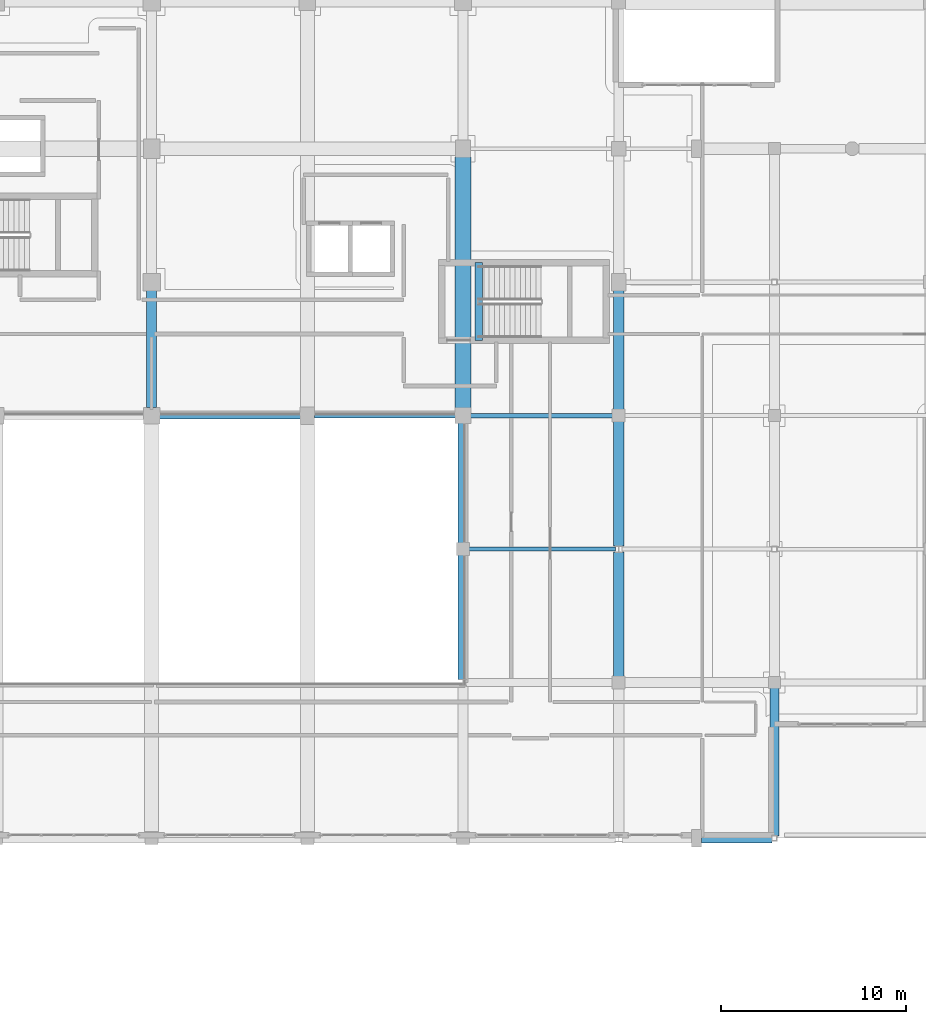
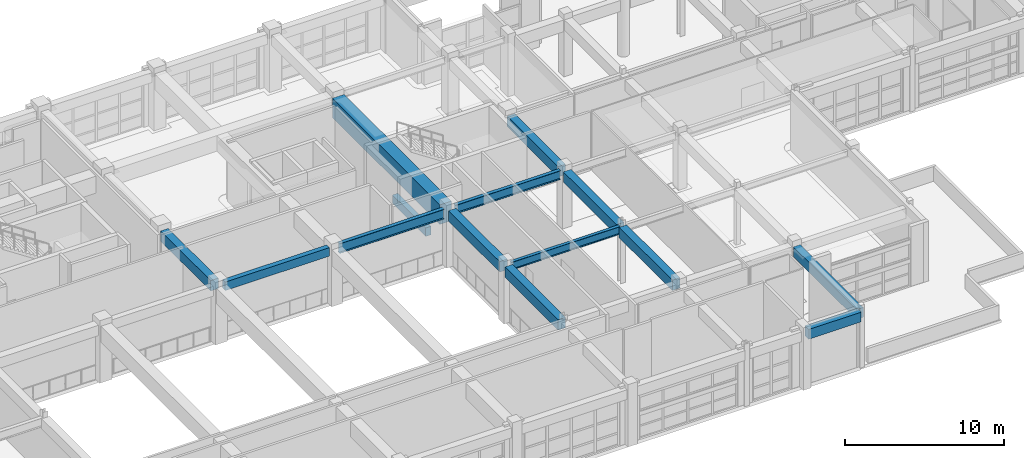
# One storey, part 55 of 123: 14 beams.
"""IFC4 building model written with IfcOpenShell, lengths in metres."""

from ifc_helpers import new_model, si_unit, direction, frame, origin, origin_2d, place, context, subcontext, project, spatial, rectangle, i_section, extrude, material, material_profile, profile_set, type_object, element, save


model = new_model("IFC4")

# Units and contexts
model_context = context("Model", 3, precision=1e-05, world=origin(), true_north=direction((0.0, 1.0)))
body_context = subcontext(model_context, "Body", "Model", "MODEL_VIEW")
ifc_project = project(units=[si_unit("LENGTHUNIT", "METRE"), si_unit("AREAUNIT", "SQUARE_METRE"), si_unit("VOLUMEUNIT", "CUBIC_METRE"), si_unit("PLANEANGLEUNIT", "RADIAN"), si_unit("MASSUNIT", "GRAM", prefix="KILO")], contexts=[model_context])

# Site, building, storey
site_placement = place(None, origin())
site = spatial("IfcSite", under=ifc_project, at=site_placement, CompositionType="ELEMENT")
building_placement = place(site_placement, origin())
building = spatial("IfcBuilding", under=site, at=building_placement, Name="Quendrovan Civic Courthouse", CompositionType="ELEMENT")
storey_placement = place(building_placement, frame((0.0, 0.0, 5.39990234375)))
storey = spatial("IfcBuildingStorey", under=building, at=storey_placement, Name="L02", CompositionType="ELEMENT", Elevation=5.39990234375)

# Beams
ifc_material_1 = material(Name="Concrete C40/50", Category="concrete")
ifc_material_profile_1 = material_profile(ifc_material_1, rectangle(XDim=0.39990234375, YDim=0.64990234375, at=origin_2d()), Name="RC-BM-400x650")
ifc_profile_set_1 = profile_set([ifc_material_profile_1], Name="Concrete C40/50")
beam_type_1 = type_object("IfcBeamType", Name="BM-RC650", PredefinedType="JOIST", material=ifc_profile_set_1)
beam_1_placement = place(storey_placement, frame((84.85009765625, 91.64990234375, -0.324951171875), z_axis=(0.0, 1.0, 0.0), x_axis=(-1.0, 0.0, 0.0)))
element("IfcBeam", 1, at=beam_1_placement, inside=storey, type_object=beam_type_1, Name="L02 Stair ST3 Landing Trimmer Beam", PredefinedType="JOIST", context=body_context, shape_type="SweptSolid", body=[
    extrude(rectangle(XDim=0.39990234375, YDim=0.64990234375, at=origin_2d()), origin(), (0.0, 0.0, 1.0), 4.2001953125),
])
ifc_material_profile_2 = material_profile(ifc_material_1, rectangle(XDim=0.35009765625, YDim=0.64990234375, at=origin_2d()), Name="RC-BM-350x650")
ifc_profile_set_2 = profile_set([ifc_material_profile_2], Name="Concrete C40/50")
beam_type_2 = type_object("IfcBeamType", Name="BM-RC650B", PredefinedType="BEAM", material=ifc_profile_set_2)
beam_2_placement = place(storey_placement, frame((67.6298828125, 87.60009765625, 4.03515625), z_axis=(1.0, 0.0, 0.0), x_axis=(0.0, 1.0, 0.0)))
element("IfcBeam", 2, at=beam_2_placement, inside=storey, type_object=beam_type_2, Name="L02 Girder X0555", PredefinedType="BEAM", context=body_context, shape_type="SweptSolid", body=[
    extrude(rectangle(XDim=0.35009765625, YDim=0.64990234375, at=origin_2d()), origin(), (0.0, 0.0, 1.0), 7.590087890625),
])
ifc_material_profile_3 = material_profile(ifc_material_1, rectangle(XDim=0.5, YDim=0.75, at=origin_2d()), Name="RC-BM-500x750")
ifc_profile_set_3 = profile_set([ifc_material_profile_3], Name="Concrete C40/50")
beam_type_3 = type_object("IfcBeamType", Name="BM-RC750", PredefinedType="SPANDREL", material=ifc_profile_set_3)
beam_3_placement = place(storey_placement, frame((96.85498046875, 64.800048828125, 3.985107421875), z_axis=(1.0, 0.0, 0.0), x_axis=(0.0, 1.0, 0.0)))
element("IfcBeam", 3, at=beam_3_placement, inside=storey, type_object=beam_type_3, Name="L02 Girder X0538", PredefinedType="SPANDREL", context=body_context, shape_type="SweptSolid", body=[
    extrude(rectangle(XDim=0.5, YDim=0.75, at=origin_2d()), origin(), (0.0, 0.0, 1.0), 3.81494140625),
])
beam_4_placement = place(storey_placement, frame((100.800048828125, 64.929931640625, 3.985107421875), z_axis=(0.0, 1.0, 0.0), x_axis=(-1.0, 0.0, 0.0)))
element("IfcBeam", 4, at=beam_4_placement, inside=storey, type_object=beam_type_3, Name="L02 Girder Y0685", PredefinedType="SPANDREL", context=body_context, shape_type="SweptSolid", body=[
    extrude(rectangle(XDim=0.5, YDim=0.75, at=origin_2d()), origin(), (0.0, 0.0, 1.0), 7.965087890625),
])
ifc_material_profile_4 = material_profile(ifc_material_1, rectangle(XDim=0.550048828125, YDim=0.800048828125, at=origin_2d()), Name="RC-BM-550x800")
ifc_profile_set_4 = profile_set([ifc_material_profile_4], Name="Concrete C40/50")
beam_type_4 = type_object("IfcBeamType", Name="BM-RC800", PredefinedType="BEAM", material=ifc_profile_set_4)
beam_5_placement = place(storey_placement, frame((67.199951171875, 88.030029296875, 3.960205078125), z_axis=(0.0, 1.0, 0.0), x_axis=(-1.0, 0.0, 0.0)))
element("IfcBeam", 5, at=beam_5_placement, inside=storey, type_object=beam_type_4, Name="L02 Girder Y0661", PredefinedType="BEAM", context=body_context, shape_type="SweptSolid", body=[
    extrude(rectangle(XDim=0.550048828125, YDim=0.800048828125, at=origin_2d()), origin(), (0.0, 0.0, 1.0), 6.31494140625),
])
beam_6_placement = place(storey_placement, frame((84.0, 73.365966796875, 3.960205078125), z_axis=(0.0, 1.0, 0.0), x_axis=(-1.0, 0.0, 0.0)))
element("IfcBeam", 6, at=beam_6_placement, inside=storey, type_object=beam_type_4, Name="L02 Girder Y0671", PredefinedType="BEAM", context=body_context, shape_type="SweptSolid", body=[
    extrude(rectangle(XDim=0.550048828125, YDim=0.800048828125, at=origin_2d()), origin(), (0.0, 0.0, 1.0), 6.7041015625),
])
beam_7_placement = place(storey_placement, frame((84.0, 80.72998046875, 3.960205078125), z_axis=(0.0, 1.0, 0.0), x_axis=(-1.0, 0.0, 0.0)))
element("IfcBeam", 7, at=beam_7_placement, inside=storey, type_object=beam_type_4, Name="L02 Girder Y0672", PredefinedType="BEAM", context=body_context, shape_type="SweptSolid", body=[
    extrude(rectangle(XDim=0.550048828125, YDim=0.800048828125, at=origin_2d()), origin(), (0.0, 0.0, 1.0), 6.465087890625),
])
beam_8_placement = place(storey_placement, frame((92.39990234375, 73.530029296875, 3.960205078125), z_axis=(0.0, 1.0, 0.0), x_axis=(-1.0, 0.0, 0.0)))
element("IfcBeam", 8, at=beam_8_placement, inside=storey, type_object=beam_type_4, Name="L02 Girder Y0678", PredefinedType="BEAM", context=body_context, shape_type="SweptSolid", body=[
    extrude(rectangle(XDim=0.550048828125, YDim=0.800048828125, at=origin_2d()), origin(), (0.0, 0.0, 1.0), 6.703857421875),
])
beam_9_placement = place(storey_placement, frame((92.39990234375, 80.56591796875, 3.960205078125), z_axis=(0.0, 1.0, 0.0), x_axis=(-1.0, 0.0, 0.0)))
element("IfcBeam", 9, at=beam_9_placement, inside=storey, type_object=beam_type_4, Name="L02 Girder Y0679", PredefinedType="BEAM", context=body_context, shape_type="SweptSolid", body=[
    extrude(rectangle(XDim=0.550048828125, YDim=0.800048828125, at=origin_2d()), origin(), (0.0, 0.0, 1.0), 6.7041015625),
])
beam_10_placement = place(storey_placement, frame((92.39990234375, 87.929931640625, 3.960205078125), z_axis=(0.0, 1.0, 0.0), x_axis=(-1.0, 0.0, 0.0)))
element("IfcBeam", 10, at=beam_10_placement, inside=storey, type_object=beam_type_4, Name="L02 Girder Y0680", PredefinedType="BEAM", context=body_context, shape_type="SweptSolid", body=[
    extrude(rectangle(XDim=0.550048828125, YDim=0.800048828125, at=origin_2d()), origin(), (0.0, 0.0, 1.0), 6.4150390625),
])
ifc_material_2 = material(Name="Steel ASTM A992 Grade 50", Category="steel")
ifc_material_profile_5 = material_profile(ifc_material_2, i_section(OverallWidth=0.22802734375, OverallDepth=0.60693359375, WebThickness=0.01123046875, FlangeThickness=0.017333984375, at=origin_2d()), Name="W24X76")
ifc_profile_set_5 = profile_set([ifc_material_profile_5], Name="Steel ASTM A992 Grade 50")
beam_type_5 = type_object("IfcBeamType", Name="BM-STL-W24", PredefinedType="BEAM", material=ifc_profile_set_5)
beam_11_placement = place(storey_placement, frame((84.330078125, 80.39990234375, 4.056640625), z_axis=(1.0, 0.0, 0.0), x_axis=(0.0, 1.0, 0.0)))
element("IfcBeam", 11, at=beam_11_placement, inside=storey, type_object=beam_type_5, Name="L02 Girder X0548", PredefinedType="BEAM", context=body_context, shape_type="SweptSolid", body=[
    extrude(i_section(OverallWidth=0.22802734375, OverallDepth=0.60693359375, WebThickness=0.01123046875, FlangeThickness=0.017333984375, at=origin_2d()), origin(), (0.0, 0.0, 1.0), 7.90283203125),
])
ifc_material_profile_6 = material_profile(ifc_material_2, i_section(OverallWidth=0.25390625, OverallDepth=0.68408203125, WebThickness=0.012451171875, FlangeThickness=0.018798828125, at=origin_2d()), Name="W27X94")
ifc_profile_set_6 = profile_set([ifc_material_profile_6], Name="Steel ASTM A992 Grade 50")
beam_type_6 = type_object("IfcBeamType", Name="BM-STL-W27", PredefinedType="BEAM", material=ifc_profile_set_6)
beam_12_placement = place(storey_placement, frame((84.405029296875, 87.60009765625, 4.01806640625), z_axis=(1.0, 0.0, 0.0), x_axis=(0.0, 1.0, 0.0)))
element("IfcBeam", 12, at=beam_12_placement, inside=storey, type_object=beam_type_6, Name="L02 Girder X0557", PredefinedType="BEAM", context=body_context, shape_type="SweptSolid", body=[
    extrude(i_section(OverallWidth=0.25390625, OverallDepth=0.68408203125, WebThickness=0.012451171875, FlangeThickness=0.018798828125, at=origin_2d()), origin(), (0.0, 0.0, 1.0), 7.6650390625),
])
ifc_material_profile_7 = material_profile(ifc_material_2, i_section(OverallWidth=0.26611328125, OverallDepth=0.758056640625, WebThickness=0.013916015625, FlangeThickness=0.019287109375, at=origin_2d()), Name="W30X108")
ifc_profile_set_7 = profile_set([ifc_material_profile_7], Name="Steel ASTM A992 Grade 50")
beam_type_7 = type_object("IfcBeamType", Name="BM-STL-W30", PredefinedType="BEAM", material=ifc_profile_set_7)
beam_13_placement = place(storey_placement, frame((75.97998046875, 87.60009765625, 3.981201171875), z_axis=(1.0, 0.0, 0.0), x_axis=(0.0, 1.0, 0.0)))
element("IfcBeam", 13, at=beam_13_placement, inside=storey, type_object=beam_type_7, Name="L02 Girder X0556", PredefinedType="BEAM", context=body_context, shape_type="SweptSolid", body=[
    extrude(i_section(OverallWidth=0.26611328125, OverallDepth=0.758056640625, WebThickness=0.013916015625, FlangeThickness=0.019287109375, at=origin_2d()), origin(), (0.0, 0.0, 1.0), 7.614990234375),
])
ifc_material_3 = material(Name="Concrete C45/55", Category="concrete")
ifc_material_profile_8 = material_profile(ifc_material_3, rectangle(XDim=0.85009765625, YDim=1.5, at=origin_2d()), Name="RC-TG-850x1500")
ifc_profile_set_8 = profile_set([ifc_material_profile_8], Name="Concrete C45/55")
beam_type_8 = type_object("IfcBeamType", Name="BM-TG1500", PredefinedType="BEAM", material=ifc_profile_set_8)
beam_14_placement = place(storey_placement, frame((84.0, 88.0048828125, 3.610107421875), z_axis=(0.0, 1.0, 0.0), x_axis=(-1.0, 0.0, 0.0)))
element("IfcBeam", 14, at=beam_14_placement, inside=storey, type_object=beam_type_8, Name="L02 Girder Y0673", PredefinedType="BEAM", context=body_context, shape_type="SweptSolid", body=[
    extrude(rectangle(XDim=0.85009765625, YDim=1.5, at=origin_2d()), origin(), (0.0, 0.0, 1.0), 13.5400390625),
])

save(model, "model.ifc")
